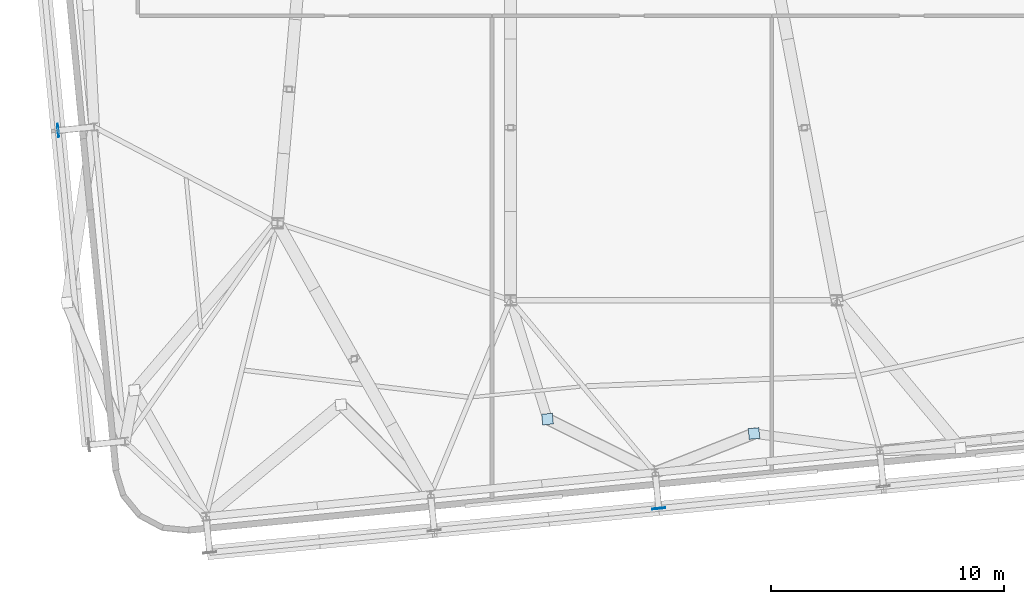
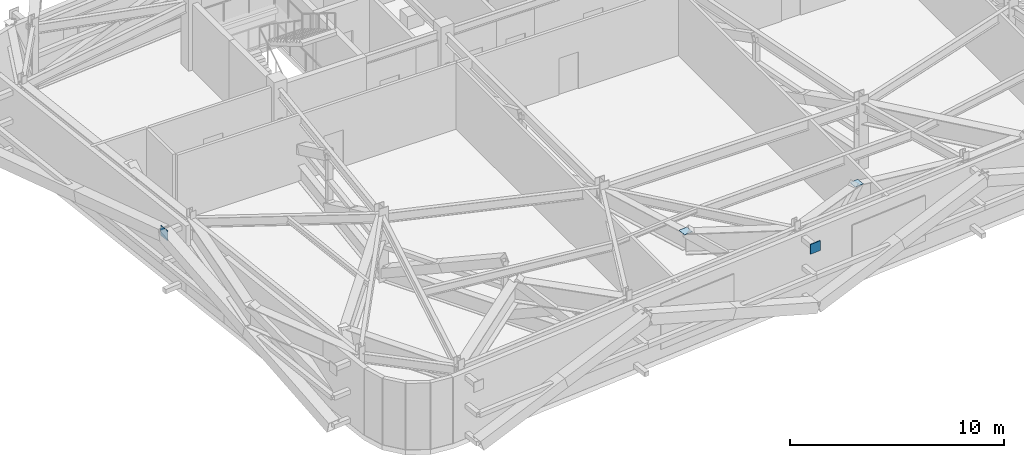
# One storey, part 14 of 24: 4 plates.
"""IFC4 building model written with IfcOpenShell, lengths in metres."""

from ifc_helpers import new_model, si_unit, direction, frame, origin, origin_2d, place, context, subcontext, project, spatial, rectangle, extrude, source, transform, mapped, material, layer, layer_set, type_object, element, save


model = new_model("IFC4")

# Units and contexts
model_context = context("Model", 3, precision=1e-05, world=origin(), true_north=direction((0.0, 1.0)))
body_context = subcontext(model_context, "Body", "Model", "MODEL_VIEW")
ifc_project = project(units=[si_unit("LENGTHUNIT", "METRE"), si_unit("AREAUNIT", "SQUARE_METRE"), si_unit("VOLUMEUNIT", "CUBIC_METRE"), si_unit("PLANEANGLEUNIT", "RADIAN"), si_unit("MASSUNIT", "GRAM", prefix="KILO")], contexts=[model_context])

# Site, building, storey
site_placement = place(None, origin())
site = spatial("IfcSite", under=ifc_project, at=site_placement, CompositionType="ELEMENT")
building_placement = place(site_placement, origin())
building = spatial("IfcBuilding", under=site, at=building_placement, Name="Taldren Reach Tower", CompositionType="ELEMENT")
storey_placement = place(building_placement, frame((0.0, 0.0, 112.35009765625)))
storey = spatial("IfcBuildingStorey", under=building, at=storey_placement, Name="L34", CompositionType="ELEMENT", Elevation=112.35009765625)

# Plates
ifc_material = material(Name="Steel Gr 450 (C450L0)", Category="steel")
ifc_layer_1 = layer(ifc_material, 0.0400390625)
ifc_layer_set_1 = layer_set([ifc_layer_1], Name="Steel Gr 450 (C450L0)")
plate_type_1 = type_object("IfcPlateType", Name="PL-GUSSET-40", PredefinedType="SHEET", material=ifc_layer_set_1)
shared_shape_1 = source(origin(), body_context, "Body", "SweptSolid", [
    extrude(rectangle(XDim=0.56005859375, YDim=0.0400390625, at=origin_2d()), origin(), (0.0, 0.0, 1.0), 0.56005859375),
])
for number, where, z_axis, x_axis, name in (
    (1, (34.35302734375, 0.2666015625, 3.219970703125), (0.0, 0.0, 1.0), (0.995227399982, 0.097582899759, 0.0), "Exoskeleton star-node gusset plate B2-S3 L34"),
    (2, (8.587890625, 16.479736328125, 3.219970703125), (0.0, 0.0, 1.0), (-0.097582899759, 0.995227399982, 0.0), "Exoskeleton star-node gusset plate B2-W2 L34"),
):
    element("IfcPlate", number, at=place(storey_placement, frame(where, z_axis=z_axis, x_axis=x_axis)), inside=storey, type_object=plate_type_1, Name=name, PredefinedType="SHEET", context=body_context, shape_type="MappedRepresentation", body=[
        mapped(shared_shape_1, transform((0.0, 0.0, 0.0), scale=1.0)),
    ])
ifc_layer_2 = layer(ifc_material, 0.011962890625)
ifc_layer_set_2 = layer_set([ifc_layer_2], Name="Steel Gr 450 (C450L0)")
plate_type_2 = type_object("IfcPlateType", Name="PL-CAP-460", PredefinedType="SHEET", material=ifc_layer_set_2)
shared_shape_2 = source(origin(), body_context, "Body", "SweptSolid", [
    extrude(rectangle(XDim=0.4599609375, YDim=0.4599609375, at=origin_2d()), origin(), (0.0, 0.0, 1.0), 0.011962890625),
])
for number, where, z_axis, x_axis, name in (
    (3, (29.580322265625, 4.099609375, 3.76806640625), (0.0, 0.0, 1.0), (0.995227399982, 0.097582899759, 0.0), "Transfer strut end cap plate TS-B3-S3 L34"),
    (4, (38.438720703125, 3.480224609375, 3.76806640625), (0.0, 0.0, 1.0), (0.995227399982, 0.097582899759, 0.0), "Transfer strut end cap plate TS-B3-S4 L34"),
):
    element("IfcPlate", number, at=place(storey_placement, frame(where, z_axis=z_axis, x_axis=x_axis)), inside=storey, type_object=plate_type_2, Name=name, PredefinedType="SHEET", context=body_context, shape_type="MappedRepresentation", body=[
        mapped(shared_shape_2, transform((0.0, 0.0, 0.0), scale=1.0)),
    ])

save(model, "model.ifc")
